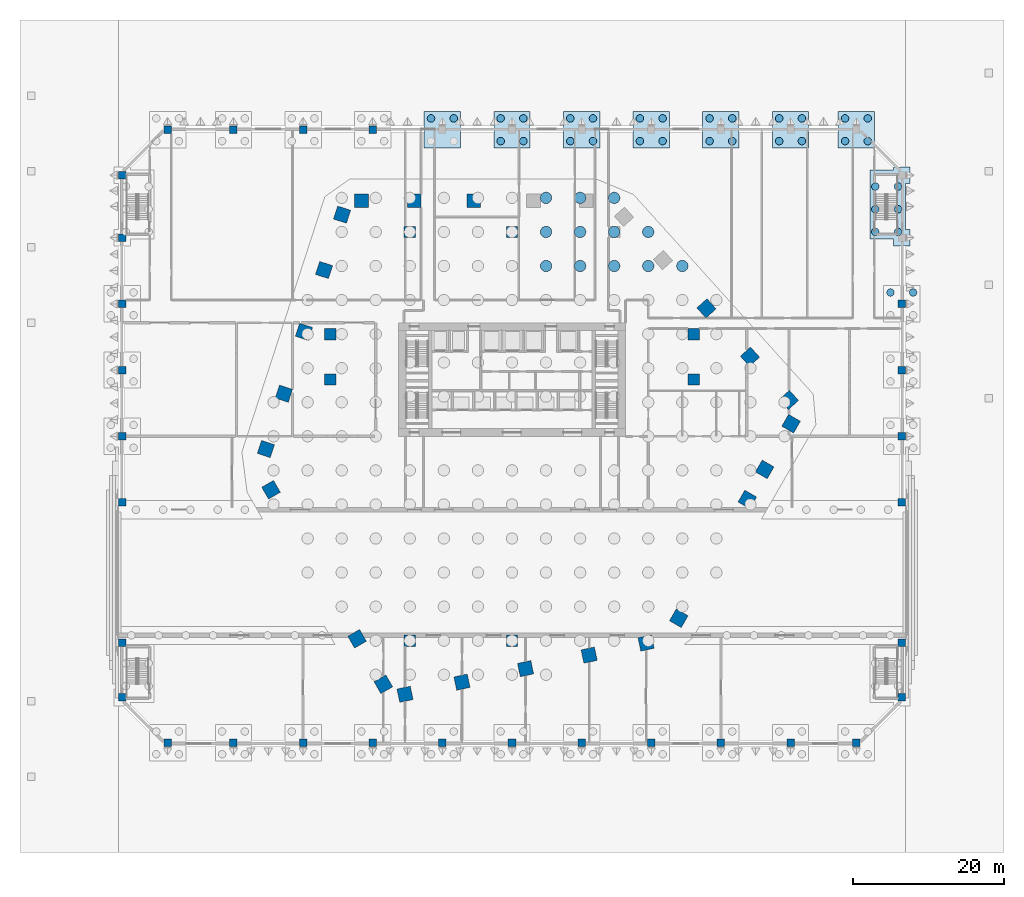
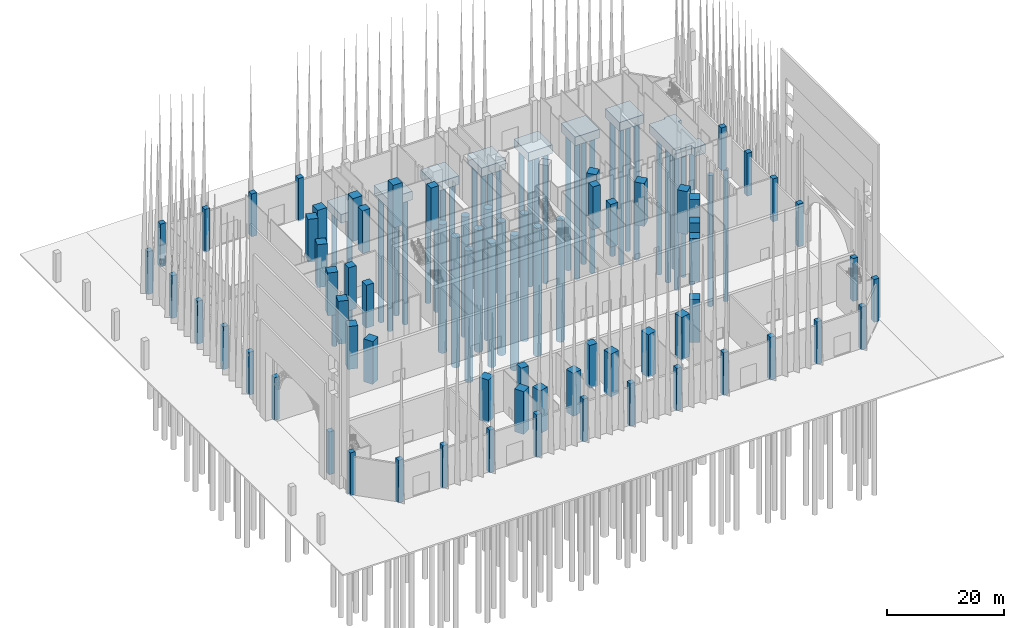
# One storey, part 5 of 32: 60 columns, 46 piles, 8 footings.
"""IFC4 building model written with IfcOpenShell, lengths in metres."""

import ifcopenshell
import ifcopenshell.guid

model = None  # the IFC model being written
_history = None  # IfcOwnerHistory: only IFC2X3 demands one
_inside = {}  # id of a spatial element -> (the spatial element, [elements in it])
_under = {}  # id of a project, library or spatial element -> (it, [spatial elements below it])
_declared = {}  # id of a project -> (the project, [libraries it declares])
_typed = {}  # id of a type object -> (the type object, [elements of that type])
_made_of = {}  # id of a material, layer set ... -> (it, [elements and type objects made of it])


def new_model(schema):
    """Start an empty IFC model of exactly this schema.

    Asked for "IFC4X3", IfcOpenShell would pick the latest addendum, in which some entities
    have other attributes; the version numbers below select the first issue.
    IFC2X3 requires an IfcOwnerHistory on every rooted entity: one is made here for all.
    """
    global model, _history
    if schema == "IFC4X3":
        model = ifcopenshell.file(schema_version=(4, 3, 0, 0))
    else:
        model = ifcopenshell.file(schema=schema)
    _inside.clear()
    _under.clear()
    _declared.clear()
    _typed.clear()
    _made_of.clear()
    _history = None
    if model.schema == "IFC2X3":
        org = make("IfcOrganization", Name="unknown")
        user = make(
            "IfcPersonAndOrganization",
            ThePerson=make("IfcPerson", FamilyName="unknown"),
            TheOrganization=org,
        )
        app = make(
            "IfcApplication",
            ApplicationDeveloper=org,
            Version="unknown",
            ApplicationFullName="unknown",
            ApplicationIdentifier="unknown",
        )
        _history = make(
            "IfcOwnerHistory",
            OwningUser=user,
            OwningApplication=app,
            ChangeAction="ADDED",
            CreationDate=0,
        )
    return model


def make(cls, **values):
    """One entity of the class cls with the attributes given. An attribute that is None is left unset."""
    return model.create_entity(
        cls, **{name: value for name, value in values.items() if value is not None}
    )


def rooted(cls, **values):
    """An entity with a GlobalId (a new one), such as an element, a storey or a relation."""
    return make(cls, GlobalId=ifcopenshell.guid.new(), OwnerHistory=_history, **values)


def si_unit(unit_type, name, prefix=None):
    """IfcSIUnit, for example si_unit("LENGTHUNIT", "METRE", prefix="MILLI")."""
    return make("IfcSIUnit", UnitType=unit_type, Prefix=prefix, Name=name)


def assignment(units):
    """IfcUnitAssignment: the units of a project."""
    return None if units is None else make("IfcUnitAssignment", Units=units)


def point(xyz):
    """IfcCartesianPoint."""
    return None if xyz is None else make("IfcCartesianPoint", Coordinates=xyz)


def direction(xyz):
    """IfcDirection."""
    return None if xyz is None else make("IfcDirection", DirectionRatios=xyz)


def frame(location, z_axis=None, x_axis=None):
    """IfcAxis2Placement3D, a coordinate frame: its origin and axes. An axis left out is left unset."""
    return make(
        "IfcAxis2Placement3D",
        Location=point(location),
        Axis=direction(z_axis),
        RefDirection=direction(x_axis),
    )


def frame_2d(location, x_axis=None):
    """IfcAxis2Placement2D, a coordinate frame in the plane: its origin and x axis."""
    return make(
        "IfcAxis2Placement2D", Location=point(location), RefDirection=direction(x_axis)
    )


def origin():
    """The frame at (0, 0, 0) with its axes left unset."""
    return frame((0.0, 0.0, 0.0))


def origin_2d():
    """The frame at (0, 0) in the plane with its x axis left unset."""
    return frame_2d((0.0, 0.0))


def place(relative_to, where):
    """IfcLocalPlacement: puts the frame where relative to a parent placement (None: the world)."""
    return make(
        "IfcLocalPlacement", PlacementRelTo=relative_to, RelativePlacement=where
    )


def context(
    kind, dimensions, precision=None, world=None, true_north=None, identifier=None
):
    """IfcGeometricRepresentationContext, for example the 3D "Model" context."""
    return make(
        "IfcGeometricRepresentationContext",
        ContextIdentifier=identifier,
        ContextType=kind,
        CoordinateSpaceDimension=dimensions,
        Precision=precision,
        WorldCoordinateSystem=world,
        TrueNorth=true_north,
    )


def subcontext(parent, identifier, kind, view, scale=None):
    """IfcGeometricRepresentationSubContext, for example "Body" below "Model"."""
    return make(
        "IfcGeometricRepresentationSubContext",
        ContextIdentifier=identifier,
        ContextType=kind,
        ParentContext=parent,
        TargetScale=scale,
        TargetView=view,
    )


def project(units=None, contexts=None):
    """IfcProject with its units and contexts."""
    return rooted(
        "IfcProject",
        Name="project",
        RepresentationContexts=contexts,
        UnitsInContext=assignment(units),
    )


def spatial(cls, under=None, at=None, **own):
    """A site, building, storey or space (cls), placed at a placement, below another one or the project."""
    s = rooted(cls, ObjectPlacement=at, **own)
    if under is not None:
        _under.setdefault(under.id(), (under, []))[1].append(s)
    return s


def polyline(points):
    """IfcPolyline through the points."""
    return make("IfcPolyline", Points=[point(p) for p in points])


def profile(cls, at=None, kind="AREA", **sizes):
    """A parametric profile (cls). Its sizes go by their IFC names, for example OverallWidth=200.0."""
    return make(cls, ProfileType=kind, Position=at, **sizes)


def rectangle(**sizes):
    """IfcRectangleProfileDef."""
    return profile("IfcRectangleProfileDef", **sizes)


def circle(**sizes):
    """IfcCircleProfileDef."""
    return profile("IfcCircleProfileDef", **sizes)


def outline(outer, holes=None, kind="AREA"):
    """IfcArbitraryClosedProfileDef: a profile drawn as a closed curve; with holes, ...WithVoids."""
    if holes is None:
        return make("IfcArbitraryClosedProfileDef", ProfileType=kind, OuterCurve=outer)
    return make(
        "IfcArbitraryProfileDefWithVoids",
        ProfileType=kind,
        OuterCurve=outer,
        InnerCurves=holes,
    )


def extrude(swept, where, along, depth):
    """IfcExtrudedAreaSolid: the profile swept, set in the frame where, extruded along a direction by depth."""
    return make(
        "IfcExtrudedAreaSolid",
        SweptArea=swept,
        Position=where,
        ExtrudedDirection=direction(along),
        Depth=depth,
    )


def shape(context_of_items, identifier, shape_type, items):
    """IfcShapeRepresentation: the items that make up one representation, for example the "Body"."""
    return make(
        "IfcShapeRepresentation",
        ContextOfItems=context_of_items,
        RepresentationIdentifier=identifier,
        RepresentationType=shape_type,
        Items=items,
    )


def material(Name=None, Category=None):
    """IfcMaterial."""
    return make("IfcMaterial", Name=Name, Category=Category)


def layer(
    of_material, thickness, ventilated=None, Name=None, Category=None, Priority=None
):
    """IfcMaterialLayer: one layer of a wall or slab, of a material (None: an air gap)."""
    return make(
        "IfcMaterialLayer",
        Material=of_material,
        LayerThickness=thickness,
        IsVentilated=ventilated,
        Name=Name,
        Category=Category,
        Priority=Priority,
    )


def layer_set(layers, Name=None):
    """IfcMaterialLayerSet."""
    return make("IfcMaterialLayerSet", MaterialLayers=layers, LayerSetName=Name)


def material_profile(
    of_material, cross_section, Name=None, Category=None, Priority=None
):
    """IfcMaterialProfile: a cross section and its material."""
    return make(
        "IfcMaterialProfile",
        Name=Name,
        Material=of_material,
        Profile=cross_section,
        Priority=Priority,
        Category=Category,
    )


def profile_set(profiles, Name=None, composite=None):
    """IfcMaterialProfileSet."""
    return make(
        "IfcMaterialProfileSet",
        Name=Name,
        MaterialProfiles=profiles,
        CompositeProfile=composite,
    )


def made_of(thing, what):
    """Note that an element or type object is made of a material, layer set ...; save() writes the relation."""
    if what is not None:
        _made_of.setdefault(what.id(), (what, []))[1].append(thing)
    return thing


def type_object(cls, material=None, **own):
    """A type object (cls), such as IfcWallType, which elements share."""
    return made_of(rooted(cls, **own), material)


def element(
    cls,
    number,
    at=None,
    inside=None,
    cuts=None,
    type_object=None,
    material=None,
    context=None,
    identifier="Body",
    shape_type=None,
    held_by="IfcProductDefinitionShape",
    body=None,
    shapes=None,
    **own,
):
    """One element of the class cls, such as IfcWall. Its Tag is "e" and its number.

    at: its placement. inside: the storey or other place that contains it. cuts: it is an
    opening in that element (IfcRelVoidsElement). A single representation is given by context,
    identifier, shape_type and body (its items); several are given by shapes. held_by: the class
    of the entity that holds the representations. save() writes the other relations.
    """
    e = rooted(cls, Tag="e%d" % number, ObjectPlacement=at, **own)
    if body is not None:
        shapes = [shape(context, identifier, shape_type, body)]
    if shapes is not None:
        e.Representation = make(held_by, Representations=shapes)
    if inside is not None:
        _inside.setdefault(inside.id(), (inside, []))[1].append(e)
    if cuts is not None:
        rooted(
            "IfcRelVoidsElement", RelatingBuildingElement=cuts, RelatedOpeningElement=e
        )
    if type_object is not None:
        _typed.setdefault(type_object.id(), (type_object, []))[1].append(e)
    return made_of(e, material)


def aggregate(whole, parts):
    """IfcRelAggregates: a whole, such as a stair, and the parts it consists of."""
    return rooted("IfcRelAggregates", RelatingObject=whole, RelatedObjects=parts)


def save(model, path):
    """Write the relations noted so far, then the file.

    IfcRelAggregates (storeys below a building ...), IfcRelContainedInSpatialStructure (elements
    in a storey), IfcRelDefinesByType, IfcRelAssociatesMaterial and IfcRelDeclares: one each for
    every whole, place, type object, material and project.
    """
    for whole, parts in _under.values():
        aggregate(whole, parts)
    for where, things in _inside.values():
        rooted(
            "IfcRelContainedInSpatialStructure",
            RelatedElements=things,
            RelatingStructure=where,
        )
    for kind, things in _typed.values():
        rooted("IfcRelDefinesByType", RelatedObjects=things, RelatingType=kind)
    for what, things in _made_of.values():
        rooted("IfcRelAssociatesMaterial", RelatedObjects=things, RelatingMaterial=what)
    for by, libraries in _declared.values():
        rooted("IfcRelDeclares", RelatingContext=by, RelatedDefinitions=libraries)
    model.write(path)


model = new_model("IFC4")

# Units and contexts
model_context = context("Model", 3, precision=1e-05, world=origin(), true_north=direction((0.0, 1.0)))
body_context = subcontext(model_context, "Body", "Model", "MODEL_VIEW")
ifc_project = project(units=[si_unit("LENGTHUNIT", "METRE"), si_unit("AREAUNIT", "SQUARE_METRE"), si_unit("VOLUMEUNIT", "CUBIC_METRE"), si_unit("PLANEANGLEUNIT", "RADIAN"), si_unit("MASSUNIT", "GRAM", prefix="KILO")], contexts=[model_context])

# Site, building, storey
site_placement = place(None, origin())
site = spatial("IfcSite", under=ifc_project, at=site_placement, CompositionType="ELEMENT")
building_placement = place(site_placement, origin())
building = spatial("IfcBuilding", under=site, at=building_placement, Name="Isthmus Gate Tower", CompositionType="ELEMENT")
storey_placement = place(building_placement, origin())
storey = spatial("IfcBuildingStorey", under=building, at=storey_placement, Name="L00", CompositionType="ELEMENT", Elevation=0.0)

# Piles
ifc_material_1 = material(Name="Concrete f'c 50 MPa", Category="concrete")
ifc_material_profile_1 = material_profile(ifc_material_1, circle(Radius=0.5, at=origin_2d()), Name="D1000")
ifc_profile_set_1 = profile_set([ifc_material_profile_1], Name="Concrete f'c 50 MPa")
pile_type_1 = type_object("IfcPileType", Name="BORED PILE D1000", PredefinedType="BORED", material=ifc_profile_set_1)
pile_1_placement = place(storey_placement, frame((50.0, 19.0, -1.800048828125), z_axis=(0.0, 0.0, -1.0), x_axis=(1.0, 0.0, 0.0)))
element("IfcPile", 1, at=pile_1_placement, inside=storey, type_object=pile_type_1, Name="str-pile-L00-249", PredefinedType="BORED", context=body_context, shape_type="SweptSolid", body=[
    extrude(circle(Radius=0.5, at=origin_2d()), origin(), (0.0, 0.0, 1.0), 27.2822265625),
])
pile_2_placement = place(storey_placement, frame((53.0, 19.0, -1.800048828125), z_axis=(0.0, 0.0, -1.0), x_axis=(1.0, 0.0, 0.0)))
element("IfcPile", 2, at=pile_2_placement, inside=storey, type_object=pile_type_1, Name="str-pile-L00-251", PredefinedType="BORED", context=body_context, shape_type="SweptSolid", body=[
    extrude(circle(Radius=0.5, at=origin_2d()), origin(), (0.0, 0.0, 1.0), 27.270263671875),
])
pile_3_placement = place(storey_placement, frame((44.0, 39.0, -1.800048828125), z_axis=(0.0, 0.0, -1.0), x_axis=(1.0, 0.0, 0.0)))
element("IfcPile", 3, at=pile_3_placement, inside=storey, type_object=pile_type_1, Name="str-pile-L00-252", PredefinedType="BORED", context=body_context, shape_type="SweptSolid", body=[
    extrude(circle(Radius=0.5, at=origin_2d()), origin(), (0.0, 0.0, 1.0), 28.67333984375),
])
pile_4_placement = place(storey_placement, frame((44.0, 42.0, -1.800048828125), z_axis=(0.0, 0.0, -1.0), x_axis=(1.0, 0.0, 0.0)))
element("IfcPile", 4, at=pile_4_placement, inside=storey, type_object=pile_type_1, Name="str-pile-L00-253", PredefinedType="BORED", context=body_context, shape_type="SweptSolid", body=[
    extrude(circle(Radius=0.5, at=origin_2d()), origin(), (0.0, 0.0, 1.0), 28.675537109375),
])
pile_5_placement = place(storey_placement, frame((47.0, 39.0, -1.800048828125), z_axis=(0.0, 0.0, -1.0), x_axis=(1.0, 0.0, 0.0)))
element("IfcPile", 5, at=pile_5_placement, inside=storey, type_object=pile_type_1, Name="str-pile-L00-254", PredefinedType="BORED", context=body_context, shape_type="SweptSolid", body=[
    extrude(circle(Radius=0.5, at=origin_2d()), origin(), (0.0, 0.0, 1.0), 28.680419921875),
])
pile_6_placement = place(storey_placement, frame((47.0, 42.0, -1.800048828125), z_axis=(0.0, 0.0, -1.0), x_axis=(1.0, 0.0, 0.0)))
element("IfcPile", 6, at=pile_6_placement, inside=storey, type_object=pile_type_1, Name="str-pile-L00-255", PredefinedType="BORED", context=body_context, shape_type="SweptSolid", body=[
    extrude(circle(Radius=0.5, at=origin_2d()), origin(), (0.0, 0.0, 1.0), 28.682373046875),
])
pile_7_placement = place(storey_placement, frame((35.300048828125, 39.0, -1.800048828125), z_axis=(0.0, 0.0, -1.0), x_axis=(1.0, 0.0, 0.0)))
element("IfcPile", 7, at=pile_7_placement, inside=storey, type_object=pile_type_1, Name="str-pile-L00-256", PredefinedType="BORED", context=body_context, shape_type="SweptSolid", body=[
    extrude(circle(Radius=0.5, at=origin_2d()), origin(), (0.0, 0.0, 1.0), 28.584716796875),
])
pile_8_placement = place(storey_placement, frame((35.300048828125, 42.0, -1.800048828125), z_axis=(0.0, 0.0, -1.0), x_axis=(1.0, 0.0, 0.0)))
element("IfcPile", 8, at=pile_8_placement, inside=storey, type_object=pile_type_1, Name="str-pile-L00-257", PredefinedType="BORED", context=body_context, shape_type="SweptSolid", body=[
    extrude(circle(Radius=0.5, at=origin_2d()), origin(), (0.0, 0.0, 1.0), 28.5859375),
])
pile_9_placement = place(storey_placement, frame((38.300048828125, 39.0, -1.800048828125), z_axis=(0.0, 0.0, -1.0), x_axis=(1.0, 0.0, 0.0)))
element("IfcPile", 9, at=pile_9_placement, inside=storey, type_object=pile_type_1, Name="str-pile-L00-258", PredefinedType="BORED", context=body_context, shape_type="SweptSolid", body=[
    extrude(circle(Radius=0.5, at=origin_2d()), origin(), (0.0, 0.0, 1.0), 28.37255859375),
])
pile_10_placement = place(storey_placement, frame((38.300048828125, 42.0, -1.800048828125), z_axis=(0.0, 0.0, -1.0), x_axis=(1.0, 0.0, 0.0)))
element("IfcPile", 10, at=pile_10_placement, inside=storey, type_object=pile_type_1, Name="str-pile-L00-259", PredefinedType="BORED", context=body_context, shape_type="SweptSolid", body=[
    extrude(circle(Radius=0.5, at=origin_2d()), origin(), (0.0, 0.0, 1.0), 28.374267578125),
])
pile_11_placement = place(storey_placement, frame((26.10009765625, 39.0, -1.800048828125), z_axis=(0.0, 0.0, -1.0), x_axis=(1.0, 0.0, 0.0)))
element("IfcPile", 11, at=pile_11_placement, inside=storey, type_object=pile_type_1, Name="str-pile-L00-260", PredefinedType="BORED", context=body_context, shape_type="SweptSolid", body=[
    extrude(circle(Radius=0.5, at=origin_2d()), origin(), (0.0, 0.0, 1.0), 26.914794921875),
])
pile_12_placement = place(storey_placement, frame((26.10009765625, 42.0, -1.800048828125), z_axis=(0.0, 0.0, -1.0), x_axis=(1.0, 0.0, 0.0)))
element("IfcPile", 12, at=pile_12_placement, inside=storey, type_object=pile_type_1, Name="str-pile-L00-261", PredefinedType="BORED", context=body_context, shape_type="SweptSolid", body=[
    extrude(circle(Radius=0.5, at=origin_2d()), origin(), (0.0, 0.0, 1.0), 26.914306640625),
])
pile_13_placement = place(storey_placement, frame((29.10009765625, 39.0, -1.800048828125), z_axis=(0.0, 0.0, -1.0), x_axis=(1.0, 0.0, 0.0)))
element("IfcPile", 13, at=pile_13_placement, inside=storey, type_object=pile_type_1, Name="str-pile-L00-262", PredefinedType="BORED", context=body_context, shape_type="SweptSolid", body=[
    extrude(circle(Radius=0.5, at=origin_2d()), origin(), (0.0, 0.0, 1.0), 27.315185546875),
])
pile_14_placement = place(storey_placement, frame((29.10009765625, 42.0, -1.800048828125), z_axis=(0.0, 0.0, -1.0), x_axis=(1.0, 0.0, 0.0)))
element("IfcPile", 14, at=pile_14_placement, inside=storey, type_object=pile_type_1, Name="str-pile-L00-263", PredefinedType="BORED", context=body_context, shape_type="SweptSolid", body=[
    extrude(circle(Radius=0.5, at=origin_2d()), origin(), (0.0, 0.0, 1.0), 27.3154296875),
])
pile_15_placement = place(storey_placement, frame((16.89990234375, 39.0, -1.800048828125), z_axis=(0.0, 0.0, -1.0), x_axis=(1.0, 0.0, 0.0)))
element("IfcPile", 15, at=pile_15_placement, inside=storey, type_object=pile_type_1, Name="str-pile-L00-264", PredefinedType="BORED", context=body_context, shape_type="SweptSolid", body=[
    extrude(circle(Radius=0.5, at=origin_2d()), origin(), (0.0, 0.0, 1.0), 25.929443359375),
])
pile_16_placement = place(storey_placement, frame((16.89990234375, 42.0, -1.800048828125), z_axis=(0.0, 0.0, -1.0), x_axis=(1.0, 0.0, 0.0)))
element("IfcPile", 16, at=pile_16_placement, inside=storey, type_object=pile_type_1, Name="str-pile-L00-265", PredefinedType="BORED", context=body_context, shape_type="SweptSolid", body=[
    extrude(circle(Radius=0.5, at=origin_2d()), origin(), (0.0, 0.0, 1.0), 25.927490234375),
])
pile_17_placement = place(storey_placement, frame((19.89990234375, 39.0, -1.800048828125), z_axis=(0.0, 0.0, -1.0), x_axis=(1.0, 0.0, 0.0)))
element("IfcPile", 17, at=pile_17_placement, inside=storey, type_object=pile_type_1, Name="str-pile-L00-266", PredefinedType="BORED", context=body_context, shape_type="SweptSolid", body=[
    extrude(circle(Radius=0.5, at=origin_2d()), origin(), (0.0, 0.0, 1.0), 26.183349609375),
])
pile_18_placement = place(storey_placement, frame((19.89990234375, 42.0, -1.800048828125), z_axis=(0.0, 0.0, -1.0), x_axis=(1.0, 0.0, 0.0)))
element("IfcPile", 18, at=pile_18_placement, inside=storey, type_object=pile_type_1, Name="str-pile-L00-267", PredefinedType="BORED", context=body_context, shape_type="SweptSolid", body=[
    extrude(circle(Radius=0.5, at=origin_2d()), origin(), (0.0, 0.0, 1.0), 26.181884765625),
])
pile_19_placement = place(storey_placement, frame((7.699951171875, 39.0, -1.800048828125), z_axis=(0.0, 0.0, -1.0), x_axis=(1.0, 0.0, 0.0)))
element("IfcPile", 19, at=pile_19_placement, inside=storey, type_object=pile_type_1, Name="str-pile-L00-268", PredefinedType="BORED", context=body_context, shape_type="SweptSolid", body=[
    extrude(circle(Radius=0.5, at=origin_2d()), origin(), (0.0, 0.0, 1.0), 25.766357421875),
])
pile_20_placement = place(storey_placement, frame((7.699951171875, 42.0, -1.800048828125), z_axis=(0.0, 0.0, -1.0), x_axis=(1.0, 0.0, 0.0)))
element("IfcPile", 20, at=pile_20_placement, inside=storey, type_object=pile_type_1, Name="str-pile-L00-269", PredefinedType="BORED", context=body_context, shape_type="SweptSolid", body=[
    extrude(circle(Radius=0.5, at=origin_2d()), origin(), (0.0, 0.0, 1.0), 25.764404296875),
])
pile_21_placement = place(storey_placement, frame((10.699951171875, 39.0, -1.800048828125), z_axis=(0.0, 0.0, -1.0), x_axis=(1.0, 0.0, 0.0)))
element("IfcPile", 21, at=pile_21_placement, inside=storey, type_object=pile_type_1, Name="str-pile-L00-270", PredefinedType="BORED", context=body_context, shape_type="SweptSolid", body=[
    extrude(circle(Radius=0.5, at=origin_2d()), origin(), (0.0, 0.0, 1.0), 25.70947265625),
])
pile_22_placement = place(storey_placement, frame((10.699951171875, 42.0, -1.800048828125), z_axis=(0.0, 0.0, -1.0), x_axis=(1.0, 0.0, 0.0)))
element("IfcPile", 22, at=pile_22_placement, inside=storey, type_object=pile_type_1, Name="str-pile-L00-271", PredefinedType="BORED", context=body_context, shape_type="SweptSolid", body=[
    extrude(circle(Radius=0.5, at=origin_2d()), origin(), (0.0, 0.0, 1.0), 25.707275390625),
])
pile_23_placement = place(storey_placement, frame((-1.5, 39.0, -1.800048828125), z_axis=(0.0, 0.0, -1.0), x_axis=(1.0, 0.0, 0.0)))
element("IfcPile", 23, at=pile_23_placement, inside=storey, type_object=pile_type_1, Name="str-pile-L00-272", PredefinedType="BORED", context=body_context, shape_type="SweptSolid", body=[
    extrude(circle(Radius=0.5, at=origin_2d()), origin(), (0.0, 0.0, 1.0), 26.531494140625),
])
pile_24_placement = place(storey_placement, frame((-1.5, 42.0, -1.800048828125), z_axis=(0.0, 0.0, -1.0), x_axis=(1.0, 0.0, 0.0)))
element("IfcPile", 24, at=pile_24_placement, inside=storey, type_object=pile_type_1, Name="str-pile-L00-273", PredefinedType="BORED", context=body_context, shape_type="SweptSolid", body=[
    extrude(circle(Radius=0.5, at=origin_2d()), origin(), (0.0, 0.0, 1.0), 26.530517578125),
])
pile_25_placement = place(storey_placement, frame((1.5, 39.0, -1.800048828125), z_axis=(0.0, 0.0, -1.0), x_axis=(1.0, 0.0, 0.0)))
element("IfcPile", 25, at=pile_25_placement, inside=storey, type_object=pile_type_1, Name="str-pile-L00-274", PredefinedType="BORED", context=body_context, shape_type="SweptSolid", body=[
    extrude(circle(Radius=0.5, at=origin_2d()), origin(), (0.0, 0.0, 1.0), 26.200439453125),
])
pile_26_placement = place(storey_placement, frame((1.5, 42.0, -1.800048828125), z_axis=(0.0, 0.0, -1.0), x_axis=(1.0, 0.0, 0.0)))
element("IfcPile", 26, at=pile_26_placement, inside=storey, type_object=pile_type_1, Name="str-pile-L00-275", PredefinedType="BORED", context=body_context, shape_type="SweptSolid", body=[
    extrude(circle(Radius=0.5, at=origin_2d()), origin(), (0.0, 0.0, 1.0), 26.198974609375),
])
pile_27_placement = place(storey_placement, frame((-10.699951171875, 42.0, -1.800048828125), z_axis=(0.0, 0.0, -1.0), x_axis=(1.0, 0.0, 0.0)))
element("IfcPile", 27, at=pile_27_placement, inside=storey, type_object=pile_type_1, Name="str-pile-L00-277", PredefinedType="BORED", context=body_context, shape_type="SweptSolid", body=[
    extrude(circle(Radius=0.5, at=origin_2d()), origin(), (0.0, 0.0, 1.0), 28.22998046875),
])
pile_28_placement = place(storey_placement, frame((-7.699951171875, 42.0, -1.800048828125), z_axis=(0.0, 0.0, -1.0), x_axis=(1.0, 0.0, 0.0)))
element("IfcPile", 28, at=pile_28_placement, inside=storey, type_object=pile_type_1, Name="str-pile-L00-279", PredefinedType="BORED", context=body_context, shape_type="SweptSolid", body=[
    extrude(circle(Radius=0.5, at=origin_2d()), origin(), (0.0, 0.0, 1.0), 27.838623046875),
])
pile_29_placement = place(storey_placement, frame((48.0, 27.0, -1.800048828125), z_axis=(0.0, 0.0, -1.0), x_axis=(1.0, 0.0, 0.0)))
element("IfcPile", 29, at=pile_29_placement, inside=storey, type_object=pile_type_1, Name="str-pile-L00-316", PredefinedType="BORED", context=body_context, shape_type="SweptSolid", body=[
    extrude(circle(Radius=0.5, at=origin_2d()), origin(), (0.0, 0.0, 1.0), 28.052001953125),
])
pile_30_placement = place(storey_placement, frame((48.0, 30.0, -1.800048828125), z_axis=(0.0, 0.0, -1.0), x_axis=(1.0, 0.0, 0.0)))
element("IfcPile", 30, at=pile_30_placement, inside=storey, type_object=pile_type_1, Name="str-pile-L00-317", PredefinedType="BORED", context=body_context, shape_type="SweptSolid", body=[
    extrude(circle(Radius=0.5, at=origin_2d()), origin(), (0.0, 0.0, 1.0), 28.2822265625),
])
pile_31_placement = place(storey_placement, frame((48.0, 33.0, -1.800048828125), z_axis=(0.0, 0.0, -1.0), x_axis=(1.0, 0.0, 0.0)))
element("IfcPile", 31, at=pile_31_placement, inside=storey, type_object=pile_type_1, Name="str-pile-L00-318", PredefinedType="BORED", context=body_context, shape_type="SweptSolid", body=[
    extrude(circle(Radius=0.5, at=origin_2d()), origin(), (0.0, 0.0, 1.0), 28.46533203125),
])
pile_32_placement = place(storey_placement, frame((51.0, 27.0, -1.800048828125), z_axis=(0.0, 0.0, -1.0), x_axis=(1.0, 0.0, 0.0)))
element("IfcPile", 32, at=pile_32_placement, inside=storey, type_object=pile_type_1, Name="str-pile-L00-319", PredefinedType="BORED", context=body_context, shape_type="SweptSolid", body=[
    extrude(circle(Radius=0.5, at=origin_2d()), origin(), (0.0, 0.0, 1.0), 27.97314453125),
])
pile_33_placement = place(storey_placement, frame((51.0, 30.0, -1.800048828125), z_axis=(0.0, 0.0, -1.0), x_axis=(1.0, 0.0, 0.0)))
element("IfcPile", 33, at=pile_33_placement, inside=storey, type_object=pile_type_1, Name="str-pile-L00-320", PredefinedType="BORED", context=body_context, shape_type="SweptSolid", body=[
    extrude(circle(Radius=0.5, at=origin_2d()), origin(), (0.0, 0.0, 1.0), 28.182373046875),
])
pile_34_placement = place(storey_placement, frame((51.0, 33.0, -1.800048828125), z_axis=(0.0, 0.0, -1.0), x_axis=(1.0, 0.0, 0.0)))
element("IfcPile", 34, at=pile_34_placement, inside=storey, type_object=pile_type_1, Name="str-pile-L00-321", PredefinedType="BORED", context=body_context, shape_type="SweptSolid", body=[
    extrude(circle(Radius=0.5, at=origin_2d()), origin(), (0.0, 0.0, 1.0), 28.348388671875),
])
ifc_material_2 = material(Name="Concrete f'c 50 MPa", Category="concrete")
ifc_material_profile_2 = material_profile(ifc_material_2, circle(Radius=0.75, at=origin_2d()), Name="D1500")
ifc_profile_set_2 = profile_set([ifc_material_profile_2], Name="Concrete f'c 50 MPa")
pile_type_2 = type_object("IfcPileType", Name="BORED PILE D1500", PredefinedType="BORED", material=ifc_profile_set_2)
pile_35_placement = place(storey_placement, frame((4.5, 22.5, -3.5), z_axis=(0.0, 0.0, -1.0), x_axis=(1.0, 0.0, 0.0)))
element("IfcPile", 35, at=pile_35_placement, inside=storey, type_object=pile_type_2, Name="str-pile-L00-094", PredefinedType="BORED", context=body_context, shape_type="SweptSolid", body=[
    extrude(circle(Radius=0.75, at=origin_2d()), origin(), (0.0, 0.0, 1.0), 27.37060546875),
])
pile_36_placement = place(storey_placement, frame((4.5, 27.0, -3.5), z_axis=(0.0, 0.0, -1.0), x_axis=(1.0, 0.0, 0.0)))
element("IfcPile", 36, at=pile_36_placement, inside=storey, type_object=pile_type_2, Name="str-pile-L00-095", PredefinedType="BORED", context=body_context, shape_type="SweptSolid", body=[
    extrude(circle(Radius=0.75, at=origin_2d()), origin(), (0.0, 0.0, 1.0), 27.01513671875),
])
pile_37_placement = place(storey_placement, frame((4.5, 31.5, -3.5), z_axis=(0.0, 0.0, -1.0), x_axis=(1.0, 0.0, 0.0)))
element("IfcPile", 37, at=pile_37_placement, inside=storey, type_object=pile_type_2, Name="str-pile-L00-096", PredefinedType="BORED", context=body_context, shape_type="SweptSolid", body=[
    extrude(circle(Radius=0.75, at=origin_2d()), origin(), (0.0, 0.0, 1.0), 26.731689453125),
])
pile_38_placement = place(storey_placement, frame((9.0, 22.5, -3.5), z_axis=(0.0, 0.0, -1.0), x_axis=(1.0, 0.0, 0.0)))
element("IfcPile", 38, at=pile_38_placement, inside=storey, type_object=pile_type_2, Name="str-pile-L00-104", PredefinedType="BORED", context=body_context, shape_type="SweptSolid", body=[
    extrude(circle(Radius=0.75, at=origin_2d()), origin(), (0.0, 0.0, 1.0), 25.806396484375),
])
pile_39_placement = place(storey_placement, frame((9.0, 27.0, -3.5), z_axis=(0.0, 0.0, -1.0), x_axis=(1.0, 0.0, 0.0)))
element("IfcPile", 39, at=pile_39_placement, inside=storey, type_object=pile_type_2, Name="str-pile-L00-105", PredefinedType="BORED", context=body_context, shape_type="SweptSolid", body=[
    extrude(circle(Radius=0.75, at=origin_2d()), origin(), (0.0, 0.0, 1.0), 25.390625),
])
pile_40_placement = place(storey_placement, frame((9.0, 31.5, -3.5), z_axis=(0.0, 0.0, -1.0), x_axis=(1.0, 0.0, 0.0)))
element("IfcPile", 40, at=pile_40_placement, inside=storey, type_object=pile_type_2, Name="str-pile-L00-106", PredefinedType="BORED", context=body_context, shape_type="SweptSolid", body=[
    extrude(circle(Radius=0.75, at=origin_2d()), origin(), (0.0, 0.0, 1.0), 25.059326171875),
])
pile_41_placement = place(storey_placement, frame((13.5, 22.5, -3.5), z_axis=(0.0, 0.0, -1.0), x_axis=(1.0, 0.0, 0.0)))
element("IfcPile", 41, at=pile_41_placement, inside=storey, type_object=pile_type_2, Name="str-pile-L00-114", PredefinedType="BORED", context=body_context, shape_type="SweptSolid", body=[
    extrude(circle(Radius=0.75, at=origin_2d()), origin(), (0.0, 0.0, 1.0), 28.06396484375),
])
pile_42_placement = place(storey_placement, frame((13.5, 27.0, -3.5), z_axis=(0.0, 0.0, -1.0), x_axis=(1.0, 0.0, 0.0)))
element("IfcPile", 42, at=pile_42_placement, inside=storey, type_object=pile_type_2, Name="str-pile-L00-115", PredefinedType="BORED", context=body_context, shape_type="SweptSolid", body=[
    extrude(circle(Radius=0.75, at=origin_2d()), origin(), (0.0, 0.0, 1.0), 27.6552734375),
])
pile_43_placement = place(storey_placement, frame((13.5, 31.5, -3.5), z_axis=(0.0, 0.0, -1.0), x_axis=(1.0, 0.0, 0.0)))
element("IfcPile", 43, at=pile_43_placement, inside=storey, type_object=pile_type_2, Name="str-pile-L00-116", PredefinedType="BORED", context=body_context, shape_type="SweptSolid", body=[
    extrude(circle(Radius=0.75, at=origin_2d()), origin(), (0.0, 0.0, 1.0), 27.32958984375),
])
pile_44_placement = place(storey_placement, frame((18.0, 22.5, -3.5), z_axis=(0.0, 0.0, -1.0), x_axis=(1.0, 0.0, 0.0)))
element("IfcPile", 44, at=pile_44_placement, inside=storey, type_object=pile_type_2, Name="str-pile-L00-128", PredefinedType="BORED", context=body_context, shape_type="SweptSolid", body=[
    extrude(circle(Radius=0.75, at=origin_2d()), origin(), (0.0, 0.0, 1.0), 26.64208984375),
])
pile_45_placement = place(storey_placement, frame((18.0, 27.0, -3.5), z_axis=(0.0, 0.0, -1.0), x_axis=(1.0, 0.0, 0.0)))
element("IfcPile", 45, at=pile_45_placement, inside=storey, type_object=pile_type_2, Name="str-pile-L00-129", PredefinedType="BORED", context=body_context, shape_type="SweptSolid", body=[
    extrude(circle(Radius=0.75, at=origin_2d()), origin(), (0.0, 0.0, 1.0), 26.306640625),
])
pile_46_placement = place(storey_placement, frame((22.5, 22.5, -3.5), z_axis=(0.0, 0.0, -1.0), x_axis=(1.0, 0.0, 0.0)))
element("IfcPile", 46, at=pile_46_placement, inside=storey, type_object=pile_type_2, Name="str-pile-L00-140", PredefinedType="BORED", context=body_context, shape_type="SweptSolid", body=[
    extrude(circle(Radius=0.75, at=origin_2d()), origin(), (0.0, 0.0, 1.0), 25.278076171875),
])

# Footings
ifc_material_3 = material(Name="Concrete f'c 50 MPa", Category="concrete")
footing_type_1 = type_object("IfcFootingType", Name="PILE CAP 4800 X 4800 X 1800", PredefinedType="PILE_CAP", material=ifc_material_3)
footing_1_placement = place(storey_placement, frame((0.0, 0.0, -2.10009765625)))
element("IfcFooting", 47, at=footing_1_placement, inside=storey, type_object=footing_type_1, Name="str-cap-L00-PC18", PredefinedType="PILE_CAP", context=body_context, shape_type="SweptSolid", body=[
    extrude(outline(polyline([(47.89990234375, 38.10009765625), (47.89990234375, 42.89990234375), (43.10009765625, 42.89990234375), (43.10009765625, 38.10009765625), (47.89990234375, 38.10009765625)])), origin(), (0.0, 0.0, 1.0), 1.800048828125),
])
footing_2_placement = place(storey_placement, frame((0.0, 0.0, -2.10009765625)))
element("IfcFooting", 48, at=footing_2_placement, inside=storey, type_object=footing_type_1, Name="str-cap-L00-PC19", PredefinedType="PILE_CAP", context=body_context, shape_type="SweptSolid", body=[
    extrude(outline(polyline([(39.199951171875, 38.10009765625), (39.199951171875, 42.89990234375), (34.39990234375, 42.89990234375), (34.39990234375, 38.10009765625), (39.199951171875, 38.10009765625)])), origin(), (0.0, 0.0, 1.0), 1.800048828125),
])
footing_3_placement = place(storey_placement, frame((0.0, 0.0, -2.10009765625)))
element("IfcFooting", 49, at=footing_3_placement, inside=storey, type_object=footing_type_1, Name="str-cap-L00-PC20", PredefinedType="PILE_CAP", context=body_context, shape_type="SweptSolid", body=[
    extrude(outline(polyline([(30.0, 38.10009765625), (30.0, 42.89990234375), (25.199951171875, 42.89990234375), (25.199951171875, 38.10009765625), (30.0, 38.10009765625)])), origin(), (0.0, 0.0, 1.0), 1.800048828125),
])
footing_4_placement = place(storey_placement, frame((0.0, 0.0, -2.10009765625)))
element("IfcFooting", 50, at=footing_4_placement, inside=storey, type_object=footing_type_1, Name="str-cap-L00-PC21", PredefinedType="PILE_CAP", context=body_context, shape_type="SweptSolid", body=[
    extrude(outline(polyline([(20.800048828125, 38.10009765625), (20.800048828125, 42.89990234375), (16.0, 42.89990234375), (16.0, 38.10009765625), (20.800048828125, 38.10009765625)])), origin(), (0.0, 0.0, 1.0), 1.800048828125),
])
footing_5_placement = place(storey_placement, frame((0.0, 0.0, -2.10009765625)))
element("IfcFooting", 51, at=footing_5_placement, inside=storey, type_object=footing_type_1, Name="str-cap-L00-PC22", PredefinedType="PILE_CAP", context=body_context, shape_type="SweptSolid", body=[
    extrude(outline(polyline([(11.60009765625, 38.10009765625), (11.60009765625, 42.89990234375), (6.800048828125, 42.89990234375), (6.800048828125, 38.10009765625), (11.60009765625, 38.10009765625)])), origin(), (0.0, 0.0, 1.0), 1.800048828125),
])
footing_6_placement = place(storey_placement, frame((0.0, 0.0, -2.10009765625)))
element("IfcFooting", 52, at=footing_6_placement, inside=storey, type_object=footing_type_1, Name="str-cap-L00-PC23", PredefinedType="PILE_CAP", context=body_context, shape_type="SweptSolid", body=[
    extrude(outline(polyline([(2.39990234375, 38.10009765625), (2.39990234375, 42.89990234375), (-2.39990234375, 42.89990234375), (-2.39990234375, 38.10009765625), (2.39990234375, 38.10009765625)])), origin(), (0.0, 0.0, 1.0), 1.800048828125),
])
footing_7_placement = place(storey_placement, frame((0.0, 0.0, -2.10009765625)))
element("IfcFooting", 53, at=footing_7_placement, inside=storey, type_object=footing_type_1, Name="str-cap-L00-PC24", PredefinedType="PILE_CAP", context=body_context, shape_type="SweptSolid", body=[
    extrude(outline(polyline([(-6.800048828125, 38.10009765625), (-6.800048828125, 42.89990234375), (-11.60009765625, 42.89990234375), (-11.60009765625, 38.10009765625), (-6.800048828125, 38.10009765625)])), origin(), (0.0, 0.0, 1.0), 1.800048828125),
])
ifc_material_4 = material(Name="Concrete f'c 50 MPa", Category="concrete")
ifc_layer = layer(ifc_material_4, 1.800048828125)
ifc_layer_set = layer_set([ifc_layer], Name="SHAFT PILE CAP 1800")
footing_type_2 = type_object("IfcFootingType", Name="SHAFT PILE CAP 1800", PredefinedType="PILE_CAP", material=ifc_layer_set)
footing_8_placement = place(storey_placement, frame((0.0, 0.0, -2.10009765625)))
element("IfcFooting", 54, at=footing_8_placement, inside=storey, type_object=footing_type_2, Name="str-shaftcap-L00-ST5", PredefinedType="PILE_CAP", context=body_context, shape_type="SweptSolid", body=[
    extrude(outline(polyline([(50.39990234375, 35.60009765625), (52.60009765625, 35.60009765625), (52.60009765625, 33.39990234375), (52.0, 33.39990234375), (52.0, 27.35009765625), (52.60009765625, 27.35009765625), (52.60009765625, 25.14990234375), (50.39990234375, 25.14990234375), (50.39990234375, 26.10009765625), (47.27490234375, 26.10009765625), (47.27490234375, 35.199951171875), (50.39990234375, 35.199951171875), (50.39990234375, 35.60009765625)])), origin(), (0.0, 0.0, 1.0), 1.800048828125),
])

# Columns
ifc_material_5 = material(Name="Concrete f'c 70 MPa", Category="concrete")
ifc_material_profile_3 = material_profile(ifc_material_5, rectangle(XDim=1.5, YDim=1.5, at=origin_2d()), Name="RC 1500X1500")
ifc_profile_set_3 = profile_set([ifc_material_profile_3], Name="Concrete f'c 70 MPa")
column_type_1 = type_object("IfcColumnType", Name="RC INTERIOR COLUMN 1500 X 1500", PredefinedType="COLUMN", material=ifc_profile_set_3)
for number, where, z_axis, x_axis, name in (
    (55, (-24.0, 7.5, -0.300048828125), (0.0, 0.0, 1.0), (1.0, 0.0, 0.0), "str-icol-L00-ICA3"),
    (56, (-24.0, 13.5, -0.300048828125), (0.0, 0.0, 1.0), (1.0, 0.0, 0.0), "str-icol-L00-ICA4"),
    (57, (-13.5, -27.0, -0.300048828125), (0.0, 0.0, 1.0), (1.0, 0.0, 0.0), "str-icol-L00-ICB1"),
    (58, (-13.5, 27.0, -0.300048828125), (0.0, 0.0, 1.0), (1.0, 0.0, 0.0), "str-icol-L00-ICB5"),
    (59, (0.0, -27.0, -0.300048828125), (0.0, 0.0, 1.0), (1.0, 0.0, 0.0), "str-icol-L00-ICC1"),
    (60, (0.0, 27.0, -0.300048828125), (0.0, 0.0, 1.0), (1.0, 0.0, 0.0), "str-icol-L00-ICC5"),
    (61, (24.0, 7.5, -0.300048828125), (0.0, 0.0, 1.0), (1.0, 0.0, 0.0), "str-icol-L00-ICE3"),
    (62, (24.0, 13.5, -0.300048828125), (0.0, 0.0, 1.0), (1.0, 0.0, 0.0), "str-icol-L00-ICE4"),
):
    element("IfcColumn", number, at=place(storey_placement, frame(where, z_axis=z_axis, x_axis=x_axis)), inside=storey, type_object=column_type_1, Name=name, PredefinedType="COLUMN", context=body_context, shape_type="SweptSolid", body=[
        extrude(rectangle(XDim=1.5, YDim=1.5, at=origin_2d()), origin(), (0.0, 0.0, 1.0), 8.900146484375),
    ])
ifc_material_6 = material(Name="Concrete f'c 70 MPa", Category="concrete")
ifc_material_profile_4 = material_profile(ifc_material_6, rectangle(XDim=1.0, YDim=1.0, at=origin_2d()), Name="RC 1000X1000")
ifc_profile_set_4 = profile_set([ifc_material_profile_4], Name="Concrete f'c 70 MPa")
column_type_2 = type_object("IfcColumnType", Name="RC PODIUM COLUMN 1000 X 1000", PredefinedType="COLUMN", material=ifc_profile_set_4)
for number, where, z_axis, x_axis, name in (
    (63, (-45.5, -40.5, -0.300048828125), (0.0, 0.0, 1.0), (1.0, 0.0, 0.0), "str-pcol-L00-PC01"),
    (64, (-36.800048828125, -40.5, -0.300048828125), (0.0, 0.0, 1.0), (1.0, 0.0, 0.0), "str-pcol-L00-PC02"),
    (65, (-27.60009765625, -40.5, -0.300048828125), (0.0, 0.0, 1.0), (1.0, 0.0, 0.0), "str-pcol-L00-PC03"),
    (66, (-18.39990234375, -40.5, -0.300048828125), (0.0, 0.0, 1.0), (1.0, 0.0, 0.0), "str-pcol-L00-PC04"),
    (67, (-9.199951171875, -40.5, -0.300048828125), (0.0, 0.0, 1.0), (1.0, 0.0, 0.0), "str-pcol-L00-PC05"),
    (68, (0.0, -40.5, -0.300048828125), (0.0, 0.0, 1.0), (1.0, 0.0, 0.0), "str-pcol-L00-PC06"),
    (69, (9.199951171875, -40.5, -0.300048828125), (0.0, 0.0, 1.0), (1.0, 0.0, 0.0), "str-pcol-L00-PC07"),
    (70, (18.39990234375, -40.5, -0.300048828125), (0.0, 0.0, 1.0), (1.0, 0.0, 0.0), "str-pcol-L00-PC08"),
    (71, (27.60009765625, -40.5, -0.300048828125), (0.0, 0.0, 1.0), (1.0, 0.0, 0.0), "str-pcol-L00-PC09"),
    (72, (36.800048828125, -40.5, -0.300048828125), (0.0, 0.0, 1.0), (1.0, 0.0, 0.0), "str-pcol-L00-PC10"),
    (73, (45.5, -40.5, -0.300048828125), (0.0, 0.0, 1.0), (1.0, 0.0, 0.0), "str-pcol-L00-PC11"),
    (74, (51.5, -34.5, -0.300048828125), (0.0, 0.0, 1.0), (0.0, 1.0, 0.0), "str-pcol-L00-PC12"),
    (75, (51.5, 0.0, -0.300048828125), (0.0, 0.0, 1.0), (0.0, 1.0, 0.0), "str-pcol-L00-PC13"),
    (76, (51.5, 8.75, -0.300048828125), (0.0, 0.0, 1.0), (0.0, 1.0, 0.0), "str-pcol-L00-PC14"),
    (77, (51.5, 17.5, -0.300048828125), (0.0, 0.0, 1.0), (0.0, 1.0, 0.0), "str-pcol-L00-PC15"),
    (78, (-18.39990234375, 40.5, -0.300048828125), (0.0, 0.0, 1.0), (-1.0, 0.0, 0.0), "str-pcol-L00-PC25"),
    (79, (-27.60009765625, 40.5, -0.300048828125), (0.0, 0.0, 1.0), (-1.0, 0.0, 0.0), "str-pcol-L00-PC26"),
    (80, (-36.800048828125, 40.5, -0.300048828125), (0.0, 0.0, 1.0), (-1.0, 0.0, 0.0), "str-pcol-L00-PC27"),
    (81, (-45.5, 40.5, -0.300048828125), (0.0, 0.0, 1.0), (-1.0, 0.0, 0.0), "str-pcol-L00-PC28"),
    (82, (-51.5, 34.5, -0.300048828125), (0.0, 0.0, 1.0), (0.0, -1.0, 0.0), "str-pcol-L00-PC29"),
    (83, (-51.5, 26.25, -0.300048828125), (0.0, 0.0, 1.0), (0.0, -1.0, 0.0), "str-pcol-L00-PC30"),
    (84, (-51.5, 17.5, -0.300048828125), (0.0, 0.0, 1.0), (0.0, -1.0, 0.0), "str-pcol-L00-PC31"),
    (85, (-51.5, 8.75, -0.300048828125), (0.0, 0.0, 1.0), (0.0, -1.0, 0.0), "str-pcol-L00-PC32"),
    (86, (-51.5, 0.0, -0.300048828125), (0.0, 0.0, 1.0), (0.0, -1.0, 0.0), "str-pcol-L00-PC33"),
    (87, (-51.5, -34.5, -0.300048828125), (0.0, 0.0, 1.0), (0.0, -1.0, 0.0), "str-pcol-L00-PC34"),
    (88, (-51.5, -27.300048828125, -0.300048828125), (0.0, 0.0, 1.0), (0.0, 1.0, 0.0), "str-pcol-L00-PC35"),
    (89, (-51.5, -8.699951171875, -0.300048828125), (0.0, 0.0, 1.0), (0.0, 1.0, 0.0), "str-pcol-L00-PC36"),
    (90, (51.5, -27.300048828125, -0.300048828125), (0.0, 0.0, 1.0), (0.0, 1.0, 0.0), "str-pcol-L00-PC37"),
    (91, (51.5, -8.699951171875, -0.300048828125), (0.0, 0.0, 1.0), (0.0, 1.0, 0.0), "str-pcol-L00-PC38"),
):
    element("IfcColumn", number, at=place(storey_placement, frame(where, z_axis=z_axis, x_axis=x_axis)), inside=storey, type_object=column_type_2, Name=name, PredefinedType="COLUMN", context=body_context, shape_type="SweptSolid", body=[
        extrude(rectangle(XDim=1.0, YDim=1.0, at=origin_2d()), origin(), (0.0, 0.0, 1.0), 8.900146484375),
    ])
ifc_material_7 = material(Name="Concrete f'c 70 MPa", Category="concrete")
ifc_material_profile_5 = material_profile(ifc_material_7, rectangle(XDim=1.800048828125, YDim=1.800048828125, at=origin_2d()), Name="RC 1800X1800")
ifc_profile_set_5 = profile_set([ifc_material_profile_5], Name="Concrete f'c 70 MPa")
column_type_3 = type_object("IfcColumnType", Name="RC TUBE COLUMN 1800 X 1800", PredefinedType="COLUMN", material=ifc_profile_set_5)
for number, where, z_axis, x_axis, name in (
    (92, (-5.037109375, 31.10009765625, -0.300048828125), (0.0, 0.0, 1.0), (-1.0, 0.0, 0.0), "str-tcol-L00-T1N2"),
    (93, (-12.90673828125, 31.10009765625, -0.300048828125), (0.0, 0.0, 1.0), (-1.0, 0.0, 0.0), "str-tcol-L00-T1N3"),
    (94, (-19.876220703125, 31.10009765625, -0.300048828125), (0.0, 0.0, 1.0), (-1.0, 0.0, 0.0), "str-tcol-L00-T1N4"),
    (95, (-22.451171875, 29.281005859375, -0.300048828125), (0.0, 0.0, 1.0), (-0.309016994375, -0.951056516295, 0.0), "str-tcol-L00-T1NW0"),
    (96, (-24.827392578125, 21.9677734375, -0.300048828125), (0.0, 0.0, 1.0), (-0.309016994375, -0.951056516295, 0.0), "str-tcol-L00-T1NW1"),
    (97, (-27.481689453125, 13.798828125, -0.300048828125), (0.0, 0.0, 1.0), (-0.309016994375, -0.951056516295, 0.0), "str-tcol-L00-T1NW2"),
    (98, (-30.135986328125, 5.6298828125, -0.300048828125), (0.0, 0.0, 1.0), (-0.309016994375, -0.951056516295, 0.0), "str-tcol-L00-T1NW3"),
    (99, (-32.511962890625, -1.68310546875, -0.300048828125), (0.0, 0.0, 1.0), (-0.309016994375, -0.951056516295, 0.0), "str-tcol-L00-T1NW4"),
    (100, (-31.834228515625, -7.061279296875, -0.300048828125), (0.0, 0.0, 1.0), (0.5, -0.866025403784, 0.0), "str-tcol-L00-T1SW0"),
    (101, (-20.467041015625, -26.75, -0.300048828125), (0.0, 0.0, 1.0), (0.5, -0.866025403784, 0.0), "str-tcol-L00-T1SW2"),
    (102, (-16.995361328125, -32.763427734375, -0.300048828125), (0.0, 0.0, 1.0), (0.5, -0.866025403784, 0.0), "str-tcol-L00-T1SW3"),
    (103, (-14.13232421875, -34.083740234375, -0.300048828125), (0.0, 0.0, 1.0), (0.978147600734, 0.207911690818, 0.0), "str-tcol-L00-T1S0"),
    (104, (-6.611083984375, -32.485107421875, -0.300048828125), (0.0, 0.0, 1.0), (0.978147600734, 0.207911690818, 0.0), "str-tcol-L00-T1S1"),
    (105, (1.79052734375, -30.69921875, -0.300048828125), (0.0, 0.0, 1.0), (0.978147600734, 0.207911690818, 0.0), "str-tcol-L00-T1S2"),
    (106, (10.192138671875, -28.91357421875, -0.300048828125), (0.0, 0.0, 1.0), (0.978147600734, 0.207911690818, 0.0), "str-tcol-L00-T1S3"),
    (107, (17.713623046875, -27.314697265625, -0.300048828125), (0.0, 0.0, 1.0), (0.978147600734, 0.207911690818, 0.0), "str-tcol-L00-T1S4"),
    (108, (22.032470703125, -24.03857421875, -0.300048828125), (0.0, 0.0, 1.0), (0.5, 0.866025403784, 0.0), "str-tcol-L00-T1SE0"),
    (109, (31.09033203125, -8.35009765625, -0.300048828125), (0.0, 0.0, 1.0), (0.5, 0.866025403784, 0.0), "str-tcol-L00-T1SE1"),
    (110, (33.38671875, -4.37255859375, -0.300048828125), (0.0, 0.0, 1.0), (0.5, 0.866025403784, 0.0), "str-tcol-L00-T1SE2"),
    (111, (36.87158203125, 1.663330078125, -0.300048828125), (0.0, 0.0, 1.0), (0.5, 0.866025403784, 0.0), "str-tcol-L00-T1SE3"),
    (112, (36.583740234375, 4.802978515625, -0.300048828125), (0.0, 0.0, 1.0), (-0.669130606359, 0.743144825477, 0.0), "str-tcol-L00-T1NE0"),
    (113, (31.4384765625, 10.517333984375, -0.300048828125), (0.0, 0.0, 1.0), (-0.669130606359, 0.743144825477, 0.0), "str-tcol-L00-T1NE1"),
    (114, (25.691162109375, 16.900390625, -0.300048828125), (0.0, 0.0, 1.0), (-0.669130606359, 0.743144825477, 0.0), "str-tcol-L00-T1NE2"),
):
    element("IfcColumn", number, at=place(storey_placement, frame(where, z_axis=z_axis, x_axis=x_axis)), inside=storey, type_object=column_type_3, Name=name, PredefinedType="COLUMN", context=body_context, shape_type="SweptSolid", body=[
        extrude(rectangle(XDim=1.800048828125, YDim=1.800048828125, at=origin_2d()), origin(), (0.0, 0.0, 1.0), 8.900146484375),
    ])

save(model, "model.ifc")
